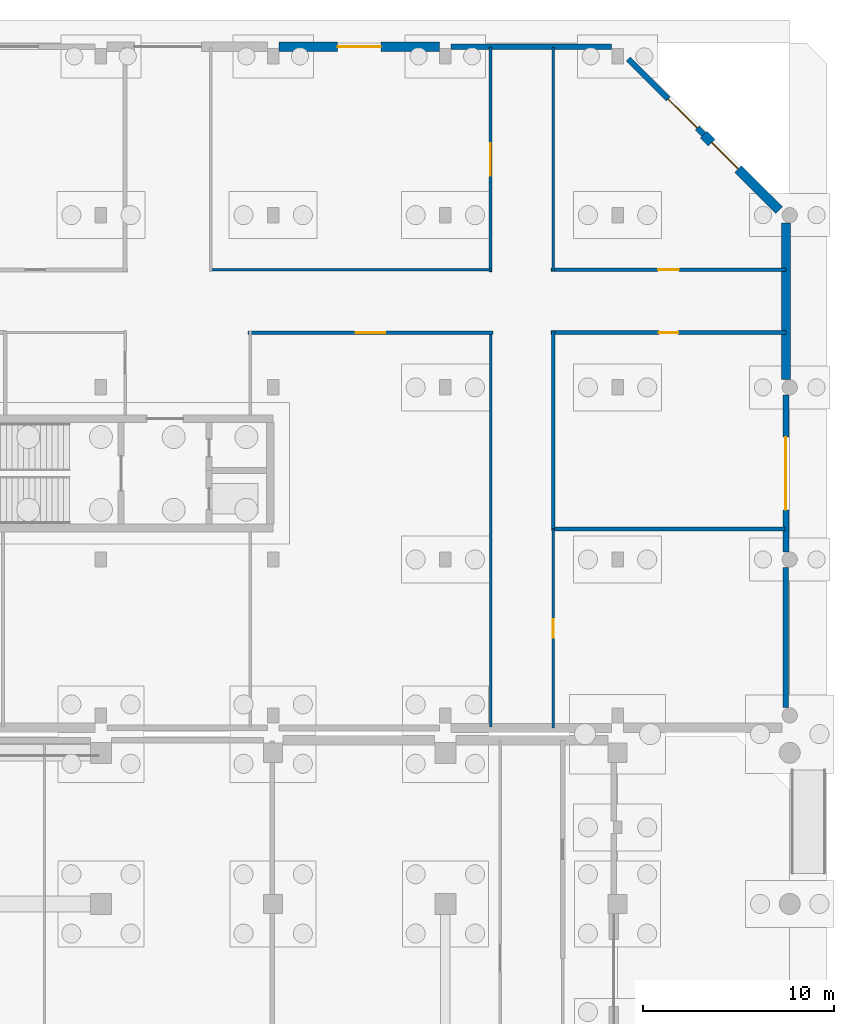
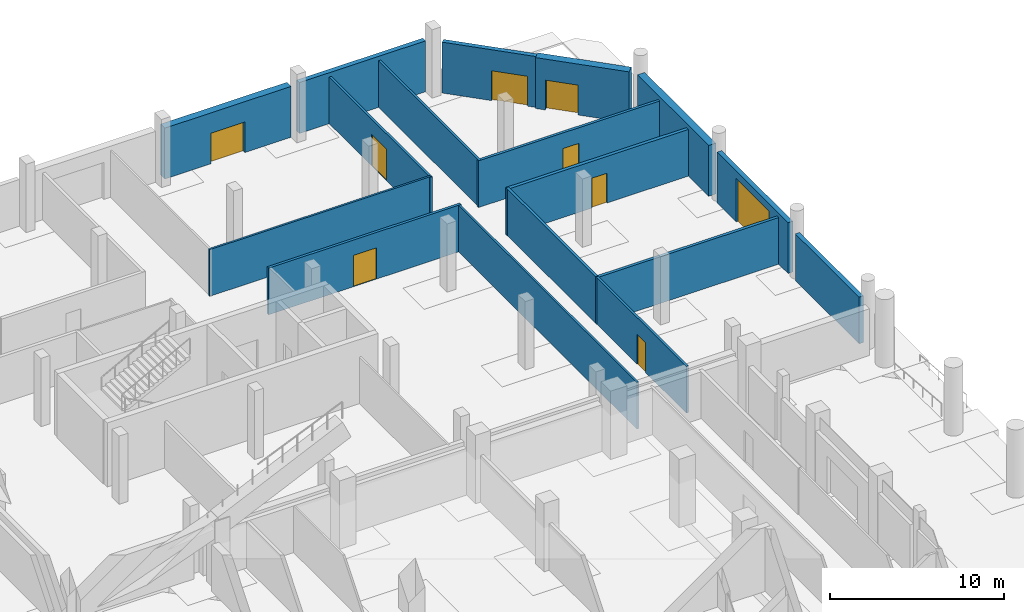
# One storey, part 39 of 53: 17 walls, 9 doors, 9 openings.
"""IFC4 building model written with IfcOpenShell, lengths in metres."""

from ifc_helpers import new_model, si_unit, direction, frame, frame_2d, origin, place, context, subcontext, project, spatial, rectangle, extrude, material, layer, layer_set, type_object, element, fill, save


model = new_model("IFC4")

# Units and contexts
model_context = context("Model", 3, precision=1e-05, world=origin(), true_north=direction((0.0, 1.0)))
body_context = subcontext(model_context, "Body", "Model", "MODEL_VIEW")
ifc_project = project(units=[si_unit("LENGTHUNIT", "METRE"), si_unit("AREAUNIT", "SQUARE_METRE"), si_unit("VOLUMEUNIT", "CUBIC_METRE"), si_unit("PLANEANGLEUNIT", "RADIAN"), si_unit("MASSUNIT", "GRAM", prefix="KILO"), si_unit("THERMODYNAMICTEMPERATUREUNIT", "KELVIN"), si_unit("POWERUNIT", "WATT")], contexts=[model_context])

# Site, building, storey
site_placement = place(None, origin())
site = spatial("IfcSite", under=ifc_project, at=site_placement, CompositionType="ELEMENT")
building_placement = place(site_placement, origin())
building = spatial("IfcBuilding", under=site, at=building_placement, Name="Sindhuravela Promenade Stadium", CompositionType="ELEMENT")
storey_placement = place(building_placement, origin())
storey = spatial("IfcBuildingStorey", under=building, at=storey_placement, Name="L00", CompositionType="ELEMENT", Elevation=0.0)

# Wall, opening, door
ifc_material_1 = material(Name="Dholpur sandstone ashlar (45 MPa)", Category="masonry")
ifc_layer_1 = layer(ifc_material_1, 0.2900390625)
ifc_layer_set_1 = layer_set([ifc_layer_1], Name="Dholpur sandstone ashlar (45 MPa)")
wall_type_1 = type_object("IfcWallType", Name="EX-WL-SND290", PredefinedType="SOLIDWALL", material=ifc_layer_set_1)
wall_1_placement = place(storey_placement, frame((207.56201171875, 161.155029296875, 0.0), z_axis=(0.0, 0.0, 1.0), x_axis=(0.7071067811865476, -0.7071067811865476, 0.0)))
wall_1 = element("IfcWall", 1, at=wall_1_placement, inside=storey, type_object=wall_type_1, Name="Exterior masonry wall EW10 Pavilion NE L00", PredefinedType="SOLIDWALL", context=body_context, shape_type="SweptSolid", body=[
    extrude(rectangle(XDim=5.581298828125, YDim=0.2900390625, at=frame_2d((2.79052734375, 0.0))), origin(), (0.0, 0.0, 1.0), 3.580078125),
])
opening_1_placement = place(wall_1_placement, frame((2.943359375, 0.0, 0.0)))
opening_1 = element("IfcOpeningElement", 2, at=opening_1_placement, cuts=wall_1, Name="Opening GT07", PredefinedType="OPENING", context=body_context, shape_type="SweptSolid", body=[
    extrude(rectangle(XDim=2.14990234375, YDim=2.10009765625, at=frame_2d((1.074951171875, 1.050048828125))), frame((0.0, 0.155029296875, 0.0), z_axis=(0.0, -1.0, 0.0), x_axis=(1.0, 0.0, 0.0)), (0.0, 0.0, 1.0), 0.31005859375),
])
ifc_material_2 = material(Name="Architectural wrought steel E350", Category="steel")
door_type_1 = type_object("IfcDoorType", Name="DR-GATE-2150x2100", OperationType="DOUBLE_DOOR_SINGLE_SWING", PredefinedType="GATE", material=ifc_material_2)
door_1_placement = place(opening_1_placement, origin())
door_1 = element("IfcDoor", 3, at=door_1_placement, inside=storey, type_object=door_type_1, Name="Promenade court exit gate GT07", OperationType="DOUBLE_DOOR_SINGLE_SWING", OverallHeight=2.10009765625, OverallWidth=2.14990234375, PredefinedType="GATE", context=body_context, shape_type="SweptSolid", body=[
    extrude(rectangle(XDim=2.14990234375, YDim=2.10009765625, at=frame_2d((1.074951171875, 1.050048828125))), frame((0.0, 0.02490234375, 0.0), z_axis=(0.0, -1.0, 0.0), x_axis=(1.0, 0.0, 0.0)), (0.0, 0.0, 1.0), 0.050048828125),
])
fill(opening_1, door_1)

# Walls
wall_2_placement = place(storey_placement, frame((215.800048828125, 134.594970703125, 0.0), z_axis=(0.0, 0.0, 1.0), x_axis=(0.0, -1.0, 0.0)))
element("IfcWall", 4, at=wall_2_placement, inside=storey, type_object=wall_type_1, Name="Exterior masonry wall EW10 Pavilion NE L00", PredefinedType="SOLIDWALL", context=body_context, shape_type="SweptSolid", body=[
    extrude(rectangle(XDim=7.340087890625, YDim=0.2900390625, at=frame_2d((3.669921875, 0.0))), origin(), (0.0, 0.0, 1.0), 3.280029296875),
])
ifc_layer_2 = layer(ifc_material_1, 0.31005859375)
ifc_layer_set_2 = layer_set([ifc_layer_2], Name="Dholpur sandstone ashlar (45 MPa)")
wall_type_2 = type_object("IfcWallType", Name="EX-WL-SND310", PredefinedType="SOLIDWALL", material=ifc_layer_set_2)
wall_3_placement = place(storey_placement, frame((198.304931640625, 161.800048828125, 0.0), z_axis=(0.0, 0.0, 1.0), x_axis=(1.0, 0.0, 0.0)))
element("IfcWall", 5, at=wall_3_placement, inside=storey, type_object=wall_type_2, Name="Exterior masonry wall EW09 Pavilion NE L00", PredefinedType="SOLIDWALL", context=body_context, shape_type="SweptSolid", body=[
    extrude(rectangle(XDim=8.39013671875, YDim=0.31005859375, at=frame_2d((4.195068359375, 0.0))), origin(), (0.0, 0.0, 1.0), 3.580078125),
])

# Wall, opening, door
wall_4_placement = place(storey_placement, frame((215.800048828125, 143.594970703125, 0.0), z_axis=(0.0, 0.0, 1.0), x_axis=(0.0, -1.0, 0.0)))
wall_4 = element("IfcWall", 6, at=wall_4_placement, inside=storey, type_object=wall_type_2, Name="Exterior masonry wall EW09 Pavilion NE L00", PredefinedType="SOLIDWALL", context=body_context, shape_type="SweptSolid", body=[
    extrude(rectangle(XDim=8.18994140625, YDim=0.31005859375, at=frame_2d((4.094970703125, 0.0))), origin(), (0.0, 0.0, 1.0), 3.580078125),
])
opening_2_placement = place(wall_4_placement, frame((2.195068359375, 0.0, 0.0)))
opening_2 = element("IfcOpeningElement", 7, at=opening_2_placement, cuts=wall_4, Name="Opening LD01", PredefinedType="OPENING", context=body_context, shape_type="SweptSolid", body=[
    extrude(rectangle(XDim=3.800048828125, YDim=3.050048828125, at=frame_2d((1.89990234375, 1.52490234375))), frame((0.0, 0.1650390625, 0.0), z_axis=(0.0, -1.0, 0.0), x_axis=(1.0, 0.0, 0.0)), (0.0, 0.0, 1.0), 0.330078125),
])
door_type_2 = type_object("IfcDoorType", Name="DR-SHUT-3800x3050", OperationType="ROLLINGUP", PredefinedType="DOOR", material=ifc_material_2)
door_2_placement = place(opening_2_placement, origin())
door_2 = element("IfcDoor", 8, at=door_2_placement, inside=storey, type_object=door_type_2, Name="Loading bay roller shutter LD01", OperationType="ROLLINGUP", OverallHeight=3.050048828125, OverallWidth=3.800048828125, PredefinedType="DOOR", context=body_context, shape_type="SweptSolid", body=[
    extrude(rectangle(XDim=3.800048828125, YDim=3.050048828125, at=frame_2d((1.89990234375, 1.52490234375))), frame((0.0, 0.02490234375, 0.0), z_axis=(0.0, -1.0, 0.0), x_axis=(1.0, 0.0, 0.0)), (0.0, 0.0, 1.0), 0.050048828125),
])
fill(opening_2, door_2)

ifc_layer_3 = layer(ifc_material_1, 0.47998046875)
ifc_layer_set_3 = layer_set([ifc_layer_3], Name="Dholpur sandstone ashlar (45 MPa)")
wall_type_3 = type_object("IfcWallType", Name="EX-WL-SND480", PredefinedType="SOLIDWALL", material=ifc_layer_set_3)
wall_5_placement = place(storey_placement, frame((189.304931640625, 161.800048828125, 0.0), z_axis=(0.0, 0.0, 1.0), x_axis=(1.0, 0.0, 0.0)))
wall_5 = element("IfcWall", 9, at=wall_5_placement, inside=storey, type_object=wall_type_3, Name="Exterior masonry wall EW08 Pavilion NE L00", PredefinedType="SOLIDWALL", context=body_context, shape_type="SweptSolid", body=[
    extrude(rectangle(XDim=8.39013671875, YDim=0.47998046875, at=frame_2d((4.195068359375, 0.0))), origin(), (0.0, 0.0, 1.0), 3.580078125),
])
opening_3_placement = place(wall_5_placement, frame((3.070068359375, 0.0, 0.0)))
opening_3 = element("IfcOpeningElement", 10, at=opening_3_placement, cuts=wall_5, Name="Opening GT06", PredefinedType="OPENING", context=body_context, shape_type="SweptSolid", body=[
    extrude(rectangle(XDim=2.25, YDim=2.14990234375, at=frame_2d((1.125, 1.074951171875))), frame((0.0, 0.25, 0.0), z_axis=(0.0, -1.0, 0.0), x_axis=(1.0, 0.0, 0.0)), (0.0, 0.0, 1.0), 0.5),
])
door_type_3 = type_object("IfcDoorType", Name="DR-GATE-2250x2150", OperationType="DOUBLE_DOOR_SINGLE_SWING", PredefinedType="GATE", material=ifc_material_2)
door_3_placement = place(opening_3_placement, origin())
door_3 = element("IfcDoor", 11, at=door_3_placement, inside=storey, type_object=door_type_3, Name="Promenade court exit gate GT06", OperationType="DOUBLE_DOOR_SINGLE_SWING", OverallHeight=2.14990234375, OverallWidth=2.25, PredefinedType="GATE", context=body_context, shape_type="SweptSolid", body=[
    extrude(rectangle(XDim=2.25, YDim=2.14990234375, at=frame_2d((1.125, 1.074951171875))), frame((0.0, 0.02490234375, 0.0), z_axis=(0.0, -1.0, 0.0), x_axis=(1.0, 0.0, 0.0)), (0.0, 0.0, 1.0), 0.050048828125),
])
fill(opening_3, door_3)

# Wall
wall_6_placement = place(storey_placement, frame((215.800048828125, 152.594970703125, 0.0), z_axis=(0.0, 0.0, 1.0), x_axis=(0.0, -1.0, 0.0)))
element("IfcWall", 12, at=wall_6_placement, inside=storey, type_object=wall_type_3, Name="Exterior masonry wall EW08 Pavilion NE L00", PredefinedType="SOLIDWALL", context=body_context, shape_type="SweptSolid", body=[
    extrude(rectangle(XDim=8.18994140625, YDim=0.47998046875, at=frame_2d((4.094970703125, 0.0))), origin(), (0.0, 0.0, 1.0), 3.580078125),
])

# Wall, opening, door
ifc_layer_4 = layer(ifc_material_1, 0.5)
ifc_layer_set_4 = layer_set([ifc_layer_4], Name="Dholpur sandstone ashlar (45 MPa)")
wall_type_4 = type_object("IfcWallType", Name="EX-WL-SND500", PredefinedType="SOLIDWALL", material=ifc_layer_set_4)
wall_7_placement = place(storey_placement, frame((211.508544921875, 157.20849609375, 0.0), z_axis=(0.0, 0.0, 1.0), x_axis=(0.7071286530614815, -0.7070849086350626, 0.0)))
wall_7 = element("IfcWall", 13, at=wall_7_placement, inside=storey, type_object=wall_type_4, Name="Exterior masonry wall EW07 Pavilion NE L00", PredefinedType="SOLIDWALL", context=body_context, shape_type="SweptSolid", body=[
    extrude(rectangle(XDim=5.5810546875, YDim=0.5, at=frame_2d((2.79052734375, 0.0))), origin(), (0.0, 0.0, 1.0), 3.580078125),
])
opening_4_placement = place(wall_7_placement, frame((0.587646484375, 0.0, 0.0)))
opening_4 = element("IfcOpeningElement", 14, at=opening_4_placement, cuts=wall_7, Name="Opening GT08", PredefinedType="OPENING", context=body_context, shape_type="SweptSolid", body=[
    extrude(rectangle(XDim=1.949951171875, YDim=2.10009765625, at=frame_2d((0.97509765625, 1.050048828125))), frame((0.0, 0.260009765625, 0.0), z_axis=(0.0, -1.0, 0.0), x_axis=(1.0, 0.0, 0.0)), (0.0, 0.0, 1.0), 0.52001953125),
])
door_type_4 = type_object("IfcDoorType", Name="DR-GATE-1950x2100", OperationType="DOUBLE_DOOR_SINGLE_SWING", PredefinedType="GATE", material=ifc_material_2)
door_4_placement = place(opening_4_placement, origin())
door_4 = element("IfcDoor", 15, at=door_4_placement, inside=storey, type_object=door_type_4, Name="Promenade court exit gate GT08", OperationType="DOUBLE_DOOR_SINGLE_SWING", OverallHeight=2.10009765625, OverallWidth=1.949951171875, PredefinedType="GATE", context=body_context, shape_type="SweptSolid", body=[
    extrude(rectangle(XDim=1.949951171875, YDim=2.10009765625, at=frame_2d((0.97509765625, 1.050048828125))), frame((0.0, 0.02490234375, 0.0), z_axis=(0.0, -1.0, 0.0), x_axis=(1.0, 0.0, 0.0)), (0.0, 0.0, 1.0), 0.050048828125),
])
fill(opening_4, door_4)

# Walls
ifc_material_3 = material(Name="Fire-rated gypsum partition board", Category="gypsum")
ifc_layer_5 = layer(ifc_material_3, 0.1298828125)
ifc_layer_set_5 = layer_set([ifc_layer_5], Name="Fire-rated gypsum partition board")
wall_type_5 = type_object("IfcWallType", Name="IN-WL-PAR130", PredefinedType="PARTITIONING", material=ifc_layer_set_5)
wall_8_placement = place(storey_placement, frame((200.360107421875, 146.93994140625, 0.0), z_axis=(0.0, 0.0, 1.0), x_axis=(0.0, -1.0, 0.0)))
element("IfcWall", 16, at=wall_8_placement, inside=storey, type_object=wall_type_5, Name="Interior partition IW05 Pavilion NE L00", PredefinedType="PARTITIONING", context=body_context, shape_type="SweptSolid", body=[
    extrude(rectangle(XDim=20.699951171875, YDim=0.1298828125, at=frame_2d((10.35009765625, 0.0))), origin(), (0.0, 0.0, 1.0), 3.280029296875),
])
wall_9_placement = place(storey_placement, frame((200.43994140625, 150.139892578125, 0.0), z_axis=(0.0, 0.0, 1.0), x_axis=(-1.0, 0.0, 0.0)))
element("IfcWall", 17, at=wall_9_placement, inside=storey, type_object=wall_type_5, Name="Interior partition IW05 Pavilion NE L00", PredefinedType="PARTITIONING", context=body_context, shape_type="SweptSolid", body=[
    extrude(rectangle(XDim=14.780029296875, YDim=0.1298828125, at=frame_2d((7.39013671875, 0.0))), origin(), (0.0, 0.0, 1.0), 3.280029296875),
])

# Wall, opening, door
ifc_layer_6 = layer(ifc_material_3, 0.14990234375)
ifc_layer_set_6 = layer_set([ifc_layer_6], Name="Fire-rated gypsum partition board")
wall_type_6 = type_object("IfcWallType", Name="IN-WL-PAR150", PredefinedType="PARTITIONING", material=ifc_layer_set_6)
wall_10_placement = place(storey_placement, frame((200.360107421875, 150.02001953125, 0.0), z_axis=(0.0, 0.0, 1.0), x_axis=(0.0, 1.0, 0.0)))
wall_10 = element("IfcWall", 18, at=wall_10_placement, inside=storey, type_object=wall_type_6, Name="Corridor partition IW04 Bag Check and Security Hall NE", PredefinedType="PARTITIONING", context=body_context, shape_type="SweptSolid", body=[
    extrude(rectangle(XDim=11.780029296875, YDim=0.14990234375, at=frame_2d((5.89013671875, 0.0))), origin(), (0.0, 0.0, 1.0), 3.280029296875),
])
opening_5_placement = place(wall_10_placement, frame((5.0400390625, 0.0, 0.0)))
opening_5 = element("IfcOpeningElement", 19, at=opening_5_placement, cuts=wall_10, Name="Opening ID01", PredefinedType="OPENING", context=body_context, shape_type="SweptSolid", body=[
    extrude(rectangle(XDim=1.699951171875, YDim=2.199951171875, at=frame_2d((0.85009765625, 1.10009765625))), frame((0.0, 0.0849609375, 0.0), z_axis=(0.0, -1.0, 0.0), x_axis=(1.0, 0.0, 0.0)), (0.0, 0.0, 1.0), 0.169921875),
])
ifc_material_4 = material(Name="Architectural teak timber leaf", Category="wood")
door_type_5 = type_object("IfcDoorType", Name="DR-INT-1700x2200", OperationType="DOUBLE_DOOR_SINGLE_SWING", PredefinedType="DOOR", material=ifc_material_4)
door_5_placement = place(opening_5_placement, origin())
door_5 = element("IfcDoor", 20, at=door_5_placement, inside=storey, type_object=door_type_5, Name="Bag Check and Security Hall NE door", OperationType="DOUBLE_DOOR_SINGLE_SWING", OverallHeight=2.199951171875, OverallWidth=1.699951171875, PredefinedType="DOOR", context=body_context, shape_type="SweptSolid", body=[
    extrude(rectangle(XDim=1.699951171875, YDim=2.199951171875, at=frame_2d((0.85009765625, 1.10009765625))), frame((0.0, 0.02490234375, 0.0), z_axis=(0.0, -1.0, 0.0), x_axis=(1.0, 0.0, 0.0)), (0.0, 0.0, 1.0), 0.050048828125),
])
fill(opening_5, door_5)

wall_11_placement = place(storey_placement, frame((203.639892578125, 136.590087890625, 0.0), z_axis=(0.0, 0.0, 1.0), x_axis=(0.0, -1.0, 0.0)))
wall_11 = element("IfcWall", 21, at=wall_11_placement, inside=storey, type_object=wall_type_6, Name="Corridor partition IW04 Gate Ticketing Hall NE 2", PredefinedType="PARTITIONING", context=body_context, shape_type="SweptSolid", body=[
    extrude(rectangle(XDim=10.39013671875, YDim=0.14990234375, at=frame_2d((5.195068359375, 0.0))), origin(), (0.0, 0.0, 1.0), 3.280029296875),
])
opening_6_placement = place(wall_11_placement, frame((4.719970703125, 0.0, 0.0)))
opening_6 = element("IfcOpeningElement", 22, at=opening_6_placement, cuts=wall_11, Name="Opening ID09", PredefinedType="OPENING", context=body_context, shape_type="SweptSolid", body=[
    extrude(rectangle(XDim=0.949951171875, YDim=2.10009765625, at=frame_2d((0.47509765625, 1.050048828125))), frame((0.0, 0.0849609375, 0.0), z_axis=(0.0, -1.0, 0.0), x_axis=(1.0, 0.0, 0.0)), (0.0, 0.0, 1.0), 0.169921875),
])
door_type_6 = type_object("IfcDoorType", Name="DR-INT-950x2100", OperationType="NOTDEFINED", PredefinedType="DOOR", material=ifc_material_4)
door_6_placement = place(opening_6_placement, origin())
door_6 = element("IfcDoor", 23, at=door_6_placement, inside=storey, type_object=door_type_6, Name="Gate Ticketing Hall NE 2 door", OperationType="SINGLE_SWING_RIGHT", OverallHeight=2.10009765625, OverallWidth=0.949951171875, PredefinedType="DOOR", context=body_context, shape_type="SweptSolid", body=[
    extrude(rectangle(XDim=0.949951171875, YDim=2.10009765625, at=frame_2d((0.47509765625, 1.050048828125))), frame((0.0, 0.02490234375, 0.0), z_axis=(0.0, -1.0, 0.0), x_axis=(1.0, 0.0, 0.0)), (0.0, 0.0, 1.0), 0.050048828125),
])
fill(opening_6, door_6)

# Wall
wall_12_placement = place(storey_placement, frame((203.639892578125, 150.06005859375, 0.0), z_axis=(0.0, 0.0, 1.0), x_axis=(0.0, 1.0, 0.0)))
element("IfcWall", 24, at=wall_12_placement, inside=storey, type_object=wall_type_6, Name="Interior partition IW04 Pavilion NE L00", PredefinedType="PARTITIONING", context=body_context, shape_type="SweptSolid", body=[
    extrude(rectangle(XDim=11.699951171875, YDim=0.14990234375, at=frame_2d((5.85009765625, 0.0))), origin(), (0.0, 0.0, 1.0), 3.280029296875),
])

# Wall, opening, door
ifc_layer_7 = layer(ifc_material_3, 0.175048828125)
ifc_layer_set_7 = layer_set([ifc_layer_7], Name="Fire-rated gypsum partition board")
wall_type_7 = type_object("IfcWallType", Name="IN-WL-PAR175", PredefinedType="PARTITIONING", material=ifc_layer_set_7)
wall_13_placement = place(storey_placement, frame((200.47998046875, 146.860107421875, 0.0), z_axis=(0.0, 0.0, 1.0), x_axis=(-1.0, 0.0, 0.0)))
wall_13 = element("IfcWall", 25, at=wall_13_placement, inside=storey, type_object=wall_type_7, Name="Corridor partition IW03 Gate Ticketing Hall NE", PredefinedType="PARTITIONING", context=body_context, shape_type="SweptSolid", body=[
    extrude(rectangle(XDim=12.800048828125, YDim=0.175048828125, at=frame_2d((6.39990234375, 0.0))), origin(), (0.0, 0.0, 1.0), 3.280029296875),
])
opening_7_placement = place(wall_13_placement, frame((5.625, 0.0, 0.0)))
opening_7 = element("IfcOpeningElement", 26, at=opening_7_placement, cuts=wall_13, Name="Opening ID02", PredefinedType="OPENING", context=body_context, shape_type="SweptSolid", body=[
    extrude(rectangle(XDim=1.550048828125, YDim=2.199951171875, at=frame_2d((0.77490234375, 1.10009765625))), frame((0.0, 0.097412109375, 0.0), z_axis=(0.0, -1.0, 0.0), x_axis=(1.0, 0.0, 0.0)), (0.0, 0.0, 1.0), 0.195068359375),
])
door_type_7 = type_object("IfcDoorType", Name="DR-INT-1550x2200", OperationType="DOUBLE_DOOR_SINGLE_SWING", PredefinedType="DOOR", material=ifc_material_4)
door_7_placement = place(opening_7_placement, origin())
door_7 = element("IfcDoor", 27, at=door_7_placement, inside=storey, type_object=door_type_7, Name="Gate Ticketing Hall NE door", OperationType="DOUBLE_DOOR_SINGLE_SWING", OverallHeight=2.199951171875, OverallWidth=1.550048828125, PredefinedType="DOOR", context=body_context, shape_type="SweptSolid", body=[
    extrude(rectangle(XDim=1.550048828125, YDim=2.199951171875, at=frame_2d((0.77490234375, 1.10009765625))), frame((0.0, 0.02490234375, 0.0), z_axis=(0.0, -1.0, 0.0), x_axis=(1.0, 0.0, 0.0)), (0.0, 0.0, 1.0), 0.050048828125),
])
fill(opening_7, door_7)

# Wall
wall_14_placement = place(storey_placement, frame((203.639892578125, 136.6298828125, 0.0), z_axis=(0.0, 0.0, 1.0), x_axis=(0.0, 1.0, 0.0)))
element("IfcWall", 28, at=wall_14_placement, inside=storey, type_object=wall_type_7, Name="Interior partition IW03 Pavilion NE L00", PredefinedType="PARTITIONING", context=body_context, shape_type="SweptSolid", body=[
    extrude(rectangle(XDim=10.31005859375, YDim=0.175048828125, at=frame_2d((5.155029296875, 0.0))), origin(), (0.0, 0.0, 1.0), 3.280029296875),
])

# Wall, opening, door
wall_15_placement = place(storey_placement, frame((203.52001953125, 150.139892578125, 0.0), z_axis=(0.0, 0.0, 1.0), x_axis=(1.0, 0.0, 0.0)))
wall_15 = element("IfcWall", 29, at=wall_15_placement, inside=storey, type_object=wall_type_7, Name="Corridor partition IW03 Accessible WC NE L00 5", PredefinedType="PARTITIONING", context=body_context, shape_type="SweptSolid", body=[
    extrude(rectangle(XDim=12.280029296875, YDim=0.175048828125, at=frame_2d((6.14013671875, 0.0))), origin(), (0.0, 0.0, 1.0), 3.280029296875),
])
opening_8_placement = place(wall_15_placement, frame((5.60009765625, 0.0, 0.0)))
opening_8 = element("IfcOpeningElement", 30, at=opening_8_placement, cuts=wall_15, Name="Opening ID12", PredefinedType="OPENING", context=body_context, shape_type="SweptSolid", body=[
    extrude(rectangle(XDim=1.080078125, YDim=2.179931640625, at=frame_2d((0.5400390625, 1.08984375))), frame((0.0, 0.097412109375, 0.0), z_axis=(0.0, -1.0, 0.0), x_axis=(1.0, 0.0, 0.0)), (0.0, 0.0, 1.0), 0.195068359375),
])
door_type_8 = type_object("IfcDoorType", Name="DR-INT-1080x2180", OperationType="NOTDEFINED", PredefinedType="DOOR", material=ifc_material_4)
door_8_placement = place(opening_8_placement, origin())
door_8 = element("IfcDoor", 31, at=door_8_placement, inside=storey, type_object=door_type_8, Name="Accessible WC NE L00 5 door", OperationType="SINGLE_SWING_LEFT", OverallHeight=2.179931640625, OverallWidth=1.080078125, PredefinedType="DOOR", context=body_context, shape_type="SweptSolid", body=[
    extrude(rectangle(XDim=1.080078125, YDim=2.179931640625, at=frame_2d((0.5400390625, 1.08984375))), frame((0.0, 0.02490234375, 0.0), z_axis=(0.0, -1.0, 0.0), x_axis=(1.0, 0.0, 0.0)), (0.0, 0.0, 1.0), 0.050048828125),
])
fill(opening_8, door_8)

# Wall
ifc_layer_8 = layer(ifc_material_3, 0.195068359375)
ifc_layer_set_8 = layer_set([ifc_layer_8], Name="Fire-rated gypsum partition board")
wall_type_8 = type_object("IfcWallType", Name="IN-WL-PAR195", PredefinedType="PARTITIONING", material=ifc_layer_set_8)
wall_16_placement = place(storey_placement, frame((215.760009765625, 136.590087890625, 0.0), z_axis=(0.0, 0.0, 1.0), x_axis=(-1.0, 0.0, 0.0)))
element("IfcWall", 32, at=wall_16_placement, inside=storey, type_object=wall_type_8, Name="Interior partition IW02 Pavilion NE L00", PredefinedType="PARTITIONING", context=body_context, shape_type="SweptSolid", body=[
    extrude(rectangle(XDim=12.199951171875, YDim=0.195068359375, at=frame_2d((6.10009765625, 0.0))), origin(), (0.0, 0.0, 1.0), 3.280029296875),
])

# Wall, opening, door
ifc_layer_9 = layer(ifc_material_3, 0.219970703125)
ifc_layer_set_9 = layer_set([ifc_layer_9], Name="Fire-rated gypsum partition board")
wall_type_9 = type_object("IfcWallType", Name="IN-WL-PAR220", PredefinedType="PARTITIONING", material=ifc_layer_set_9)
wall_17_placement = place(storey_placement, frame((215.800048828125, 146.860107421875, 0.0), z_axis=(0.0, 0.0, 1.0), x_axis=(-1.0, 0.0, 0.0)))
wall_17 = element("IfcWall", 33, at=wall_17_placement, inside=storey, type_object=wall_type_9, Name="Corridor partition IW01 Accessible WC NE L00", PredefinedType="PARTITIONING", context=body_context, shape_type="SweptSolid", body=[
    extrude(rectangle(XDim=12.280029296875, YDim=0.219970703125, at=frame_2d((6.14013671875, 0.0))), origin(), (0.0, 0.0, 1.0), 3.280029296875),
])
opening_9_placement = place(wall_17_placement, frame((5.639892578125, 0.0, 0.0)))
opening_9 = element("IfcOpeningElement", 34, at=opening_9_placement, cuts=wall_17, Name="Opening ID08", PredefinedType="OPENING", context=body_context, shape_type="SweptSolid", body=[
    extrude(rectangle(XDim=1.0, YDim=2.10009765625, at=frame_2d((0.5, 1.050048828125))), frame((0.0, 0.119873046875, 0.0), z_axis=(0.0, -1.0, 0.0), x_axis=(1.0, 0.0, 0.0)), (0.0, 0.0, 1.0), 0.239990234375),
])
door_type_9 = type_object("IfcDoorType", Name="DR-INT-1000x2100", OperationType="NOTDEFINED", PredefinedType="DOOR", material=ifc_material_4)
door_9_placement = place(opening_9_placement, origin())
door_9 = element("IfcDoor", 35, at=door_9_placement, inside=storey, type_object=door_type_9, Name="Accessible WC NE L00 door", OperationType="SINGLE_SWING_LEFT", OverallHeight=2.10009765625, OverallWidth=1.0, PredefinedType="DOOR", context=body_context, shape_type="SweptSolid", body=[
    extrude(rectangle(XDim=1.0, YDim=2.10009765625, at=frame_2d((0.5, 1.050048828125))), frame((0.0, 0.02490234375, 0.0), z_axis=(0.0, -1.0, 0.0), x_axis=(1.0, 0.0, 0.0)), (0.0, 0.0, 1.0), 0.050048828125),
])
fill(opening_9, door_9)

save(model, "model.ifc")
